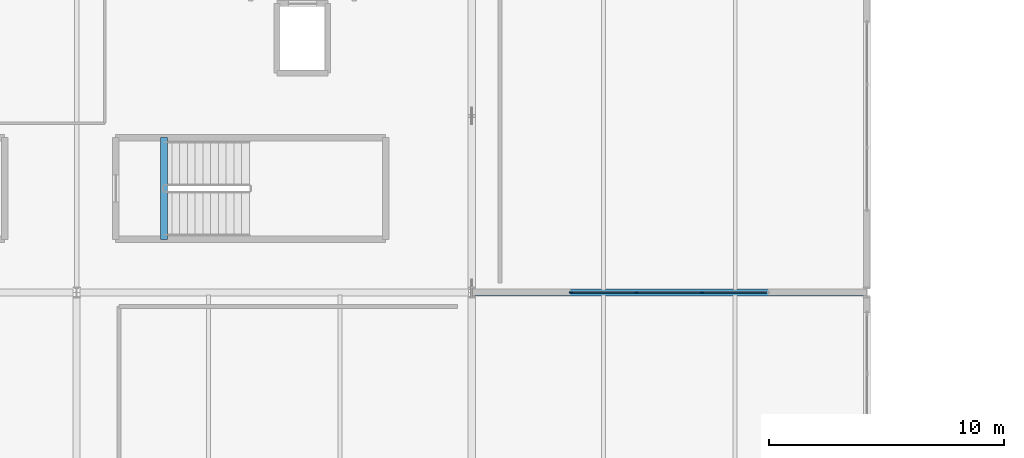
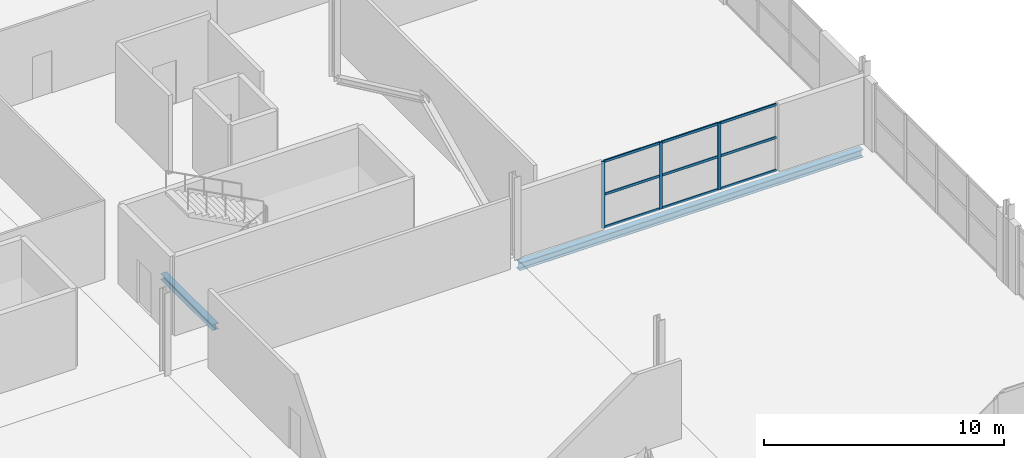
# One storey, part 19 of 39: 12 members, 2 beams, 1 element without a shape of its own.
"""IFC4 building model written with IfcOpenShell, lengths in metres."""

from ifc_helpers import new_model, si_unit, direction, frame, origin, origin_2d, place, context, subcontext, project, spatial, rectangle, i_section, extrude, material, material_profile, profile_set, type_object, element, aggregate, save


model = new_model("IFC4")

# Units and contexts
model_context = context("Model", 3, precision=1e-05, world=origin(), true_north=direction((0.0, 1.0)))
body_context = subcontext(model_context, "Body", "Model", "MODEL_VIEW")
ifc_project = project(units=[si_unit("LENGTHUNIT", "METRE"), si_unit("AREAUNIT", "SQUARE_METRE"), si_unit("VOLUMEUNIT", "CUBIC_METRE"), si_unit("PLANEANGLEUNIT", "RADIAN"), si_unit("MASSUNIT", "GRAM", prefix="KILO")], contexts=[model_context])

# Site, building, storey
site_placement = place(None, origin())
site = spatial("IfcSite", under=ifc_project, at=site_placement, CompositionType="ELEMENT")
building_placement = place(site_placement, origin())
building = spatial("IfcBuilding", under=site, at=building_placement, Name="Kimbaza Rail Terminus", CompositionType="ELEMENT")
storey_placement = place(building_placement, frame((0.0, 0.0, 16.800048828125)))
storey = spatial("IfcBuildingStorey", under=building, at=storey_placement, Name="L03", CompositionType="ELEMENT", Elevation=16.800048828125)

# Curtain wall, members
ifc_material_1 = material(Name="Anodised aluminium framing and solar low-E glazing", Category="aluminium")
curtain_wall_type = type_object("IfcCurtainWallType", Name="ARC-CW-OP2", PredefinedType="USERDEFINED", material=ifc_material_1)
curtain_wall_placement = place(storey_placement, origin())
curtain_wall = element("IfcCurtainWall", 1, at=curtain_wall_placement, inside=storey, type_object=curtain_wall_type, Name="Operations South Curtain Wall L03 Bay 6", ObjectType="STICK CURTAIN WALL", PredefinedType="USERDEFINED")
ifc_material_2 = material(Name="Anodised architectural aluminium", Category="aluminium")
ifc_material_profile_1 = material_profile(ifc_material_2, rectangle(XDim=0.05810546875, YDim=0.14990234375, at=origin_2d()), Name="MULLION 58x150")
ifc_profile_set_1 = profile_set([ifc_material_profile_1], Name="Anodised architectural aluminium")
member_type_1 = type_object("IfcMemberType", Name="ARC-CWM-06", PredefinedType="MULLION", material=ifc_profile_set_1)
member_1_placement = place(storey_placement, frame((143.428955078125, 103.0, 0.0), z_axis=(0.0, 0.0, 1.0), x_axis=(0.0, 1.0, 0.0)))
member_1 = element("IfcMember", 2, at=member_1_placement, type_object=member_type_1, Name="CW-06 mullion 1", PredefinedType="MULLION", context=body_context, shape_type="SweptSolid", body=[
    extrude(rectangle(XDim=0.05810546875, YDim=0.14990234375, at=origin_2d()), origin(), (0.0, 0.0, 1.0), 3.39501953125),
])
member_2_placement = place(storey_placement, frame((146.199951171875, 103.0, 0.0), z_axis=(0.0, 0.0, 1.0), x_axis=(0.0, 1.0, 0.0)))
member_2 = element("IfcMember", 3, at=member_2_placement, type_object=member_type_1, Name="CW-06 mullion 2", PredefinedType="MULLION", context=body_context, shape_type="SweptSolid", body=[
    extrude(rectangle(XDim=0.05810546875, YDim=0.14990234375, at=origin_2d()), origin(), (0.0, 0.0, 1.0), 3.39501953125),
])
member_3_placement = place(storey_placement, frame((149.0, 103.0, 0.0), z_axis=(0.0, 0.0, 1.0), x_axis=(0.0, 1.0, 0.0)))
member_3 = element("IfcMember", 4, at=member_3_placement, type_object=member_type_1, Name="CW-06 mullion 3", PredefinedType="MULLION", context=body_context, shape_type="SweptSolid", body=[
    extrude(rectangle(XDim=0.05810546875, YDim=0.14990234375, at=origin_2d()), origin(), (0.0, 0.0, 1.0), 3.39501953125),
])
ifc_material_3 = material(Name="Anodised architectural aluminium", Category="aluminium")
ifc_material_profile_2 = material_profile(ifc_material_3, rectangle(XDim=0.05810546875, YDim=0.125, at=origin_2d()), Name="TRANSOM 58x125")
ifc_profile_set_2 = profile_set([ifc_material_profile_2], Name="Anodised architectural aluminium")
member_type_2 = type_object("IfcMemberType", Name="ARC-CWT-06", PredefinedType="USERDEFINED", material=ifc_profile_set_2)
member_4_placement = place(storey_placement, frame((143.4580078125, 103.0, 0.029052734375), z_axis=(1.0, 0.0, 0.0), x_axis=(0.0, 1.0, 0.0)))
member_4 = element("IfcMember", 5, at=member_4_placement, type_object=member_type_2, Name="CW-06 transom 1.1", ObjectType="TRANSOM", PredefinedType="USERDEFINED", context=body_context, shape_type="SweptSolid", body=[
    extrude(rectangle(XDim=0.05810546875, YDim=0.125, at=origin_2d()), origin(), (0.0, 0.0, 1.0), 2.712890625),
])
member_5_placement = place(storey_placement, frame((143.4580078125, 103.0, 1.697509765625), z_axis=(1.0, 0.0, 0.0), x_axis=(0.0, 1.0, 0.0)))
member_5 = element("IfcMember", 6, at=member_5_placement, type_object=member_type_2, Name="CW-06 transom 1.2", ObjectType="TRANSOM", PredefinedType="USERDEFINED", context=body_context, shape_type="SweptSolid", body=[
    extrude(rectangle(XDim=0.05810546875, YDim=0.125, at=origin_2d()), origin(), (0.0, 0.0, 1.0), 2.712890625),
])
member_6_placement = place(storey_placement, frame((143.4580078125, 103.0, 3.365966796875), z_axis=(1.0, 0.0, 0.0), x_axis=(0.0, 1.0, 0.0)))
member_6 = element("IfcMember", 7, at=member_6_placement, type_object=member_type_2, Name="CW-06 transom 1.3", ObjectType="TRANSOM", PredefinedType="USERDEFINED", context=body_context, shape_type="SweptSolid", body=[
    extrude(rectangle(XDim=0.05810546875, YDim=0.125, at=origin_2d()), origin(), (0.0, 0.0, 1.0), 2.712890625),
])
member_7_placement = place(storey_placement, frame((146.22900390625, 103.0, 0.029052734375), z_axis=(1.0, 0.0, 0.0), x_axis=(0.0, 1.0, 0.0)))
member_7 = element("IfcMember", 8, at=member_7_placement, type_object=member_type_2, Name="CW-06 transom 2.1", ObjectType="TRANSOM", PredefinedType="USERDEFINED", context=body_context, shape_type="SweptSolid", body=[
    extrude(rectangle(XDim=0.05810546875, YDim=0.125, at=origin_2d()), origin(), (0.0, 0.0, 1.0), 2.741943359375),
])
member_8_placement = place(storey_placement, frame((146.22900390625, 103.0, 1.697509765625), z_axis=(1.0, 0.0, 0.0), x_axis=(0.0, 1.0, 0.0)))
member_8 = element("IfcMember", 9, at=member_8_placement, type_object=member_type_2, Name="CW-06 transom 2.2", ObjectType="TRANSOM", PredefinedType="USERDEFINED", context=body_context, shape_type="SweptSolid", body=[
    extrude(rectangle(XDim=0.05810546875, YDim=0.125, at=origin_2d()), origin(), (0.0, 0.0, 1.0), 2.741943359375),
])
member_9_placement = place(storey_placement, frame((146.22900390625, 103.0, 3.365966796875), z_axis=(1.0, 0.0, 0.0), x_axis=(0.0, 1.0, 0.0)))
member_9 = element("IfcMember", 10, at=member_9_placement, type_object=member_type_2, Name="CW-06 transom 2.3", ObjectType="TRANSOM", PredefinedType="USERDEFINED", context=body_context, shape_type="SweptSolid", body=[
    extrude(rectangle(XDim=0.05810546875, YDim=0.125, at=origin_2d()), origin(), (0.0, 0.0, 1.0), 2.741943359375),
])
member_10_placement = place(storey_placement, frame((149.029052734375, 103.0, 0.029052734375), z_axis=(1.0, 0.0, 0.0), x_axis=(0.0, 1.0, 0.0)))
member_10 = element("IfcMember", 11, at=member_10_placement, type_object=member_type_2, Name="CW-06 transom 3.1", ObjectType="TRANSOM", PredefinedType="USERDEFINED", context=body_context, shape_type="SweptSolid", body=[
    extrude(rectangle(XDim=0.05810546875, YDim=0.125, at=origin_2d()), origin(), (0.0, 0.0, 1.0), 2.712890625),
])
member_11_placement = place(storey_placement, frame((149.029052734375, 103.0, 1.697509765625), z_axis=(1.0, 0.0, 0.0), x_axis=(0.0, 1.0, 0.0)))
member_11 = element("IfcMember", 12, at=member_11_placement, type_object=member_type_2, Name="CW-06 transom 3.2", ObjectType="TRANSOM", PredefinedType="USERDEFINED", context=body_context, shape_type="SweptSolid", body=[
    extrude(rectangle(XDim=0.05810546875, YDim=0.125, at=origin_2d()), origin(), (0.0, 0.0, 1.0), 2.712890625),
])
member_12_placement = place(storey_placement, frame((149.029052734375, 103.0, 3.365966796875), z_axis=(1.0, 0.0, 0.0), x_axis=(0.0, 1.0, 0.0)))
member_12 = element("IfcMember", 13, at=member_12_placement, type_object=member_type_2, Name="CW-06 transom 3.3", ObjectType="TRANSOM", PredefinedType="USERDEFINED", context=body_context, shape_type="SweptSolid", body=[
    extrude(rectangle(XDim=0.05810546875, YDim=0.125, at=origin_2d()), origin(), (0.0, 0.0, 1.0), 2.712890625),
])
aggregate(curtain_wall, [member_1, member_2, member_3, member_4, member_5, member_6, member_7, member_8, member_9, member_10, member_11, member_12])

# Beams
ifc_material_4 = material(Name="Steel S355", Category="steel")
ifc_material_profile_3 = material_profile(ifc_material_4, i_section(OverallWidth=0.300048828125, OverallDepth=0.2900390625, WebThickness=0.008544921875, FlangeThickness=0.013916015625, FilletRadius=0.027099609375, at=origin_2d()), Name="HEA 300")
ifc_profile_set_3 = profile_set([ifc_material_profile_3], Name="Steel S355")
beam_type_1 = type_object("IfcBeamType", Name="STR-BM-HEA300", PredefinedType="SPANDREL", material=ifc_profile_set_3)
beam_1_placement = place(storey_placement, frame((126.1201171875, 105.260009765625, -0.344970703125), z_axis=(0.0, 1.0, 0.0), x_axis=(-1.0, 0.0, 0.0)))
element("IfcBeam", 14, at=beam_1_placement, inside=storey, type_object=beam_type_1, Name="Operations East Exit Stair Landing Trimmer Beam L03", PredefinedType="SPANDREL", context=body_context, shape_type="SweptSolid", body=[
    extrude(i_section(OverallWidth=0.300048828125, OverallDepth=0.2900390625, WebThickness=0.008544921875, FlangeThickness=0.013916015625, FilletRadius=0.027099609375, at=origin_2d()), origin(), (0.0, 0.0, 1.0), 4.320068359375),
])
ifc_material_5 = material(Name="Steel S355", Category="steel")
ifc_material_profile_4 = material_profile(ifc_material_5, i_section(OverallWidth=0.300048828125, OverallDepth=0.389892578125, WebThickness=0.010986328125, FlangeThickness=0.01904296875, FilletRadius=0.027099609375, at=origin_2d()), Name="HEA 400")
ifc_profile_set_4 = profile_set([ifc_material_profile_4], Name="Steel S355")
beam_type_2 = type_object("IfcBeamType", Name="STR-BM-HEA400", PredefinedType="SPANDREL", material=ifc_profile_set_4)
beam_2_placement = place(storey_placement, frame((139.345947265625, 103.0, -0.47509765625), z_axis=(1.0, 0.0, 0.0), x_axis=(0.0, 1.0, 0.0)))
element("IfcBeam", 15, at=beam_2_placement, inside=storey, type_object=beam_type_2, Name="Operations Girder L03 X5-Y0", PredefinedType="SPANDREL", context=body_context, shape_type="SweptSolid", body=[
    extrude(i_section(OverallWidth=0.300048828125, OverallDepth=0.389892578125, WebThickness=0.010986328125, FlangeThickness=0.01904296875, FilletRadius=0.027099609375, at=origin_2d()), origin(), (0.0, 0.0, 1.0), 16.508056640625),
])

save(model, "model.ifc")
